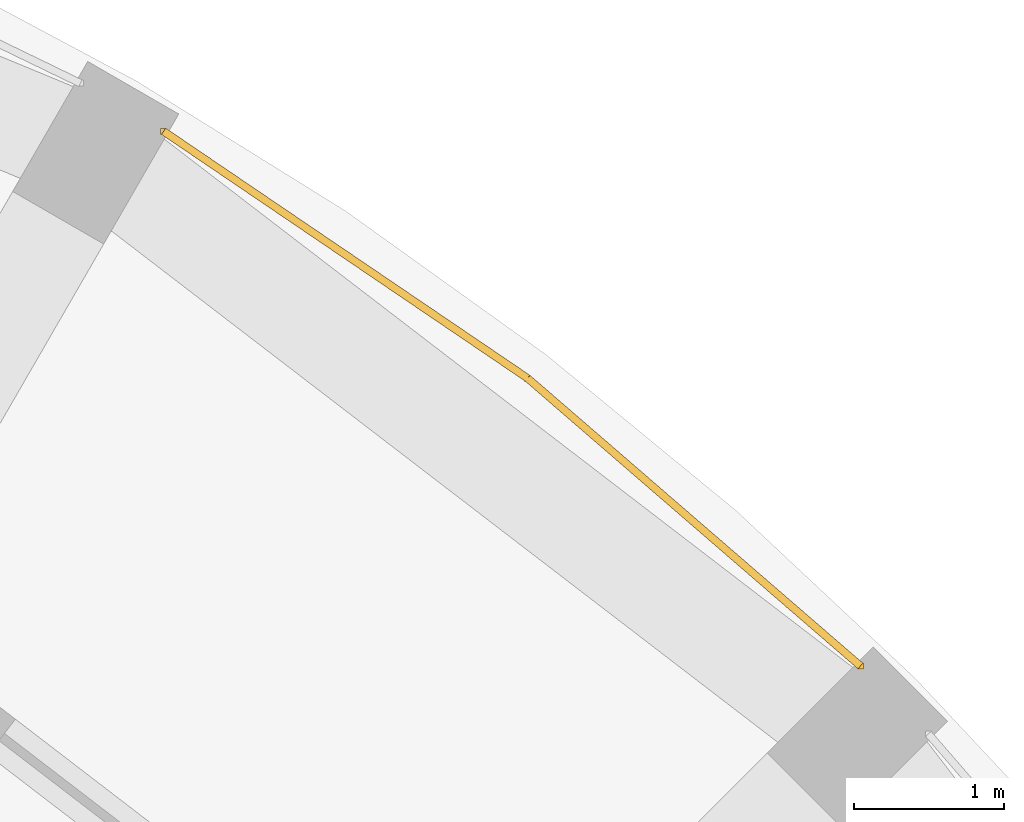
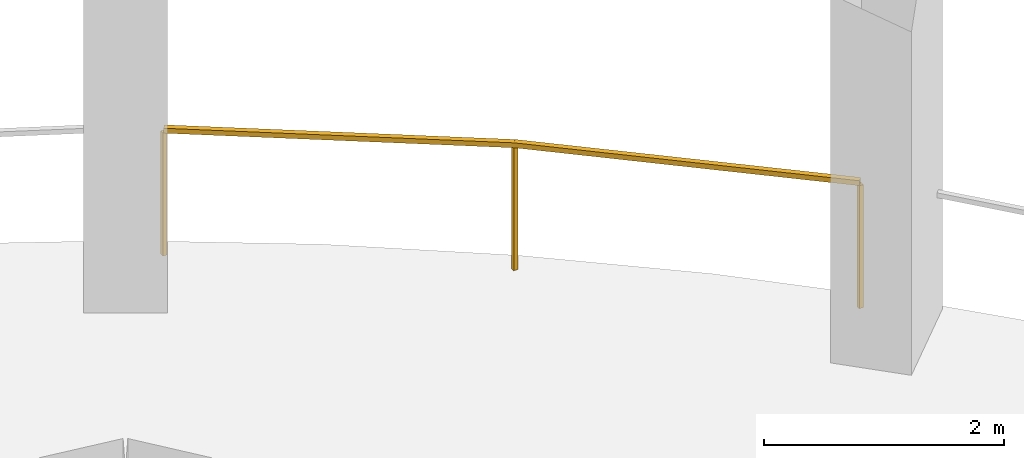
# One storey, part 8 of 8: 1 railing.
"""IFC4 building model written with IfcOpenShell, lengths in metres."""

from ifc_helpers import new_model, si_unit, direction, frame, origin, origin_2d, place, context, subcontext, project, spatial, rectangle, extrude, material, type_object, element, save


model = new_model("IFC4")

# Units and contexts
model_context = context("Model", 3, precision=1e-05, world=origin(), true_north=direction((0.0, 1.0)))
body_context = subcontext(model_context, "Body", "Model", "MODEL_VIEW")
ifc_project = project(units=[si_unit("LENGTHUNIT", "METRE"), si_unit("AREAUNIT", "SQUARE_METRE"), si_unit("VOLUMEUNIT", "CUBIC_METRE"), si_unit("PLANEANGLEUNIT", "RADIAN"), si_unit("MASSUNIT", "GRAM", prefix="KILO")], contexts=[model_context])

# Site, building, storey
site_placement = place(None, origin())
site = spatial("IfcSite", under=ifc_project, at=site_placement, CompositionType="ELEMENT")
building_placement = place(site_placement, origin())
building = spatial("IfcBuilding", under=site, at=building_placement, Name="Torre Triforio", CompositionType="ELEMENT")
storey_placement = place(building_placement, frame((0.0, 0.0, 135.199951171875)))
storey = spatial("IfcBuildingStorey", under=building, at=storey_placement, Name="L30", CompositionType="ELEMENT", Elevation=135.199951171875)

# Railing
ifc_material = material(Name="Stainless steel AISI 316", Category="steel")
railing_type = type_object("IfcRailingType", Name="Loggia guard 1300", PredefinedType="GUARDRAIL", material=ifc_material)
railing_placement = place(storey_placement, frame((17.34521484375, 17.7978515625, 0.0)))
element("IfcRailing", 1, at=railing_placement, inside=storey, type_object=railing_type, Name="Loggia guard L30 bay 04", PredefinedType="GUARDRAIL", context=body_context, shape_type="SweptSolid", body=[
    extrude(rectangle(XDim=0.050048828125, YDim=0.050048828125, at=origin_2d()), frame((0.0, 0.0, 1.27490234375), z_axis=(-0.756510170049, 0.653981928353, 0.0), x_axis=(-0.653981928353, -0.756510170049, 0.0)), (0.0, 0.0, 1.0), 2.93115234375),
    extrude(rectangle(XDim=0.050048828125, YDim=0.050048828125, at=origin_2d()), frame((-2.217529296875, 1.9169921875, 1.27490234375), z_axis=(-0.827499269821, 0.561466791934, 0.0), x_axis=(-0.561466791934, -0.827499269821, 0.0)), (0.0, 0.0, 1.0), 2.93115234375),
    extrude(rectangle(XDim=0.0400390625, YDim=0.0400390625, at=origin_2d()), origin(), (0.0, 0.0, 1.0), 1.25),
    extrude(rectangle(XDim=0.0400390625, YDim=0.0400390625, at=origin_2d()), frame((-2.217529296875, 1.9169921875, 0.0)), (0.0, 0.0, 1.0), 1.25),
    extrude(rectangle(XDim=0.0400390625, YDim=0.0400390625, at=origin_2d()), frame((-4.64306640625, 3.562744140625, 0.0)), (0.0, 0.0, 1.0), 1.25),
])

save(model, "model.ifc")
